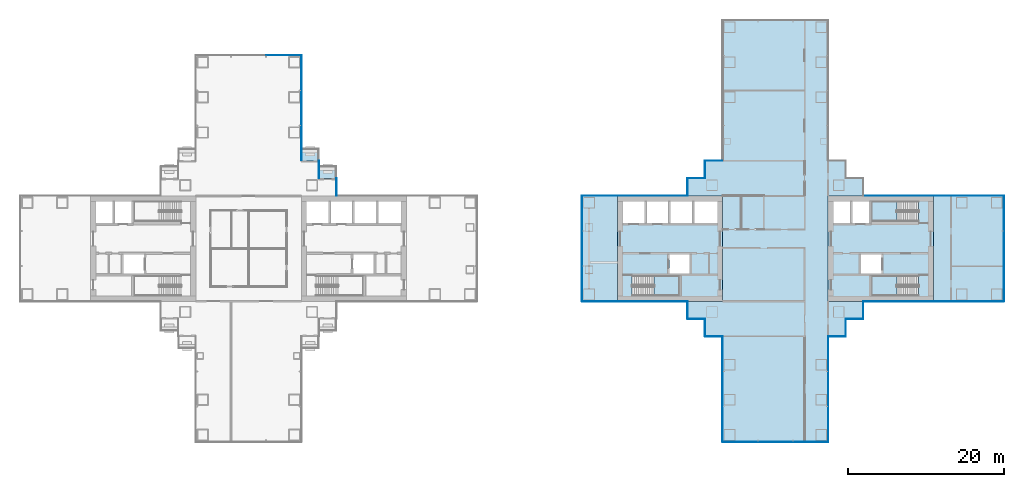
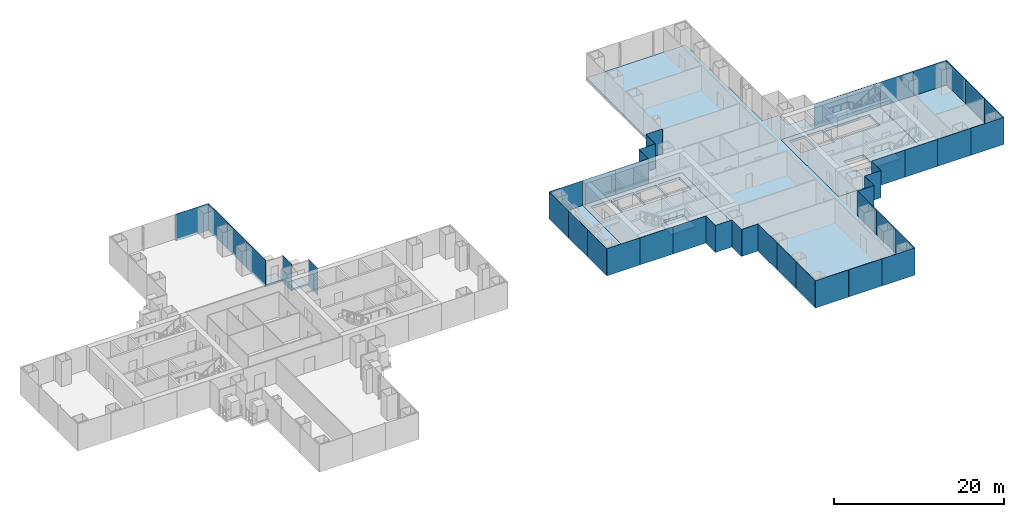
# One storey, part 12 of 21: 47 plates, 10 slabs, 22 elements without a shape of their own.
"""IFC4 building model written with IfcOpenShell, lengths in metres."""

from ifc_helpers import new_model, si_unit, direction, frame, origin, origin_2d, place, context, subcontext, project, spatial, polyline, rectangle, outline, extrude, material, layer, layer_set, type_object, element, aggregate, save


model = new_model("IFC4")

# Units and contexts
model_context = context("Model", 3, precision=1e-05, world=origin(), true_north=direction((0.0, 1.0)))
body_context = subcontext(model_context, "Body", "Model", "MODEL_VIEW")
ifc_project = project(units=[si_unit("LENGTHUNIT", "METRE"), si_unit("AREAUNIT", "SQUARE_METRE"), si_unit("VOLUMEUNIT", "CUBIC_METRE"), si_unit("PLANEANGLEUNIT", "RADIAN"), si_unit("MASSUNIT", "GRAM", prefix="KILO")], contexts=[model_context])

# Site, building, storey
site_placement = place(None, origin())
site = spatial("IfcSite", under=ifc_project, at=site_placement, CompositionType="ELEMENT")
building_placement = place(site_placement, origin())
building = spatial("IfcBuilding", under=site, at=building_placement, Name="Shamsa Quay Exchange Towers", CompositionType="ELEMENT")
storey_placement = place(building_placement, frame((0.0, 0.0, 61.5)))
storey = spatial("IfcBuildingStorey", under=building, at=storey_placement, Name="L13", CompositionType="ELEMENT", Elevation=61.5)

# Slabs
ifc_material_1 = material(Name="Precast concrete C40/50", Category="concrete")
ifc_layer_1 = layer(ifc_material_1, 0.25)
ifc_layer_set_1 = layer_set([ifc_layer_1], Name="BALCONY SLAB 250")
slab_type_1 = type_object("IfcSlabType", Name="BALCONY SLAB 250", PredefinedType="FLOOR", material=ifc_layer_set_1)
slab_1_placement = place(storey_placement, frame((0.0, 0.0, -0.25)))
element("IfcSlab", 1, at=slab_1_placement, inside=storey, type_object=slab_type_1, Name="Balcony T1-PKEN L13", PredefinedType="FLOOR", context=body_context, shape_type="SweptSolid", body=[
    extrude(outline(polyline([(-22.5, 9.0), (-24.7119140625, 9.0), (-24.7119140625, 10.550048828125), (-22.5, 10.550048828125), (-22.5, 9.0)])), origin(), (0.0, 0.0, 1.0), 0.25),
])
slab_2_placement = place(storey_placement, frame((0.0, 0.0, -0.25)))
element("IfcSlab", 2, at=slab_2_placement, inside=storey, type_object=slab_type_1, Name="Balcony T1-PKEN L13", PredefinedType="FLOOR", context=body_context, shape_type="SweptSolid", body=[
    extrude(outline(polyline([(-24.75, 11.25), (-26.9619140625, 11.25), (-26.9619140625, 12.800048828125), (-24.75, 12.800048828125), (-24.75, 11.25)])), origin(), (0.0, 0.0, 1.0), 0.25),
])
ifc_material_2 = material(Name="Concrete C50/60", Category="concrete")
ifc_layer_2 = layer(ifc_material_2, 0.35009765625)
ifc_layer_set_2 = layer_set([ifc_layer_2], Name="CORE FLOOR 350 C50/60")
slab_type_2 = type_object("IfcSlabType", Name="CORE FLOOR 350 C50/60", PredefinedType="FLOOR", material=ifc_layer_set_2)
slab_3_placement = place(storey_placement, frame((0.0, 0.0, -0.35009765625)))
element("IfcSlab", 3, at=slab_3_placement, inside=storey, type_object=slab_type_2, Name="Core floor T2A", PredefinedType="FLOOR", context=body_context, shape_type="SweptSolid", body=[
    extrude(outline(polyline([(13.5, -6.75), (27.0, -6.75), (27.0, 6.75), (13.5, 6.75), (13.5, -6.75)]), holes=[polyline([(15.400634765625, -6.050048828125), (15.400634765625, -3.5), (21.5, -3.5), (21.5, -6.050048828125), (15.400634765625, -6.050048828125)]), polyline([(14.199951171875, 3.25), (14.199951171875, 6.050048828125), (17.0, 6.050048828125), (17.0, 3.25), (14.199951171875, 3.25)]), polyline([(17.25, 3.25), (17.25, 6.050048828125), (20.050048828125, 6.050048828125), (20.050048828125, 3.25), (17.25, 3.25)]), polyline([(20.300048828125, 3.25), (20.300048828125, 6.050048828125), (23.10009765625, 6.050048828125), (23.10009765625, 3.25), (20.300048828125, 3.25)]), polyline([(23.35009765625, 3.25), (23.35009765625, 6.050048828125), (26.300048828125, 6.050048828125), (26.300048828125, 3.25), (23.35009765625, 3.25)]), polyline([(20.14990234375, -3.25), (20.14990234375, -0.75), (22.800048828125, -0.75), (22.800048828125, -3.25), (20.14990234375, -3.25)])]), origin(), (0.0, 0.0, 1.0), 0.35009765625),
])
slab_4_placement = place(storey_placement, frame((0.0, 0.0, -0.35009765625)))
element("IfcSlab", 4, at=slab_4_placement, inside=storey, type_object=slab_type_2, Name="Core floor T2B", PredefinedType="FLOOR", context=body_context, shape_type="SweptSolid", body=[
    extrude(outline(polyline([(54.0, -6.75), (54.0, 6.75), (40.5, 6.75), (40.5, -6.75), (54.0, -6.75)]), holes=[polyline([(52.099365234375, -3.5), (52.099365234375, -6.050048828125), (46.0, -6.050048828125), (46.0, -3.5), (52.099365234375, -3.5)]), polyline([(52.099365234375, 6.050048828125), (52.099365234375, 3.5), (46.0, 3.5), (46.0, 6.050048828125), (52.099365234375, 6.050048828125)]), polyline([(45.75, 3.25), (43.60009765625, 3.25), (43.60009765625, 6.050048828125), (45.75, 6.050048828125), (45.75, 3.25)]), polyline([(43.35009765625, 3.25), (41.199951171875, 3.25), (41.199951171875, 6.050048828125), (43.35009765625, 6.050048828125), (43.35009765625, 3.25)]), polyline([(47.35009765625, -3.25), (44.699951171875, -3.25), (44.699951171875, -0.75), (47.35009765625, -0.75), (47.35009765625, -3.25)])]), origin(), (0.0, 0.0, 1.0), 0.35009765625),
])

# Stair, slab
ifc_material_3 = material(Name="Concrete C40/50", Category="concrete")
stair_type = type_object("IfcStairType", Name="EXIT STAIR 22 RISERS 177 MM", PredefinedType="HALF_TURN_STAIR", material=ifc_material_3)
stair_1_placement = place(storey_placement, origin())
stair_1 = element("IfcStair", 5, at=stair_1_placement, inside=storey, type_object=stair_type, Name="L13 Exit stair ST4", PredefinedType="HALF_TURN_STAIR")
ifc_layer_3 = layer(ifc_material_3, 0.199951171875)
ifc_layer_set_3 = layer_set([ifc_layer_3], Name="CORE STAIR LANDING")
slab_type_3 = type_object("IfcSlabType", Name="CORE STAIR LANDING", PredefinedType="LANDING", material=ifc_layer_set_3)
slab_5_placement = place(storey_placement, frame((0.0, 0.0, 1.75)))
slab_5 = element("IfcSlab", 6, at=slab_5_placement, type_object=slab_type_3, Name="ST4 landing 1", PredefinedType="LANDING", context=body_context, shape_type="SweptSolid", body=[
    extrude(outline(polyline([(18.199951171875, -6.050048828125), (21.5, -6.050048828125), (21.5, -3.5), (18.199951171875, -3.5), (18.199951171875, -6.050048828125)])), origin(), (0.0, 0.0, 1.0), 0.199951171875),
])
aggregate(stair_1, [slab_5])

stair_2_placement = place(storey_placement, origin())
stair_2 = element("IfcStair", 7, at=stair_2_placement, inside=storey, type_object=stair_type, Name="L13 Exit stair ST5", PredefinedType="HALF_TURN_STAIR")
slab_6_placement = place(storey_placement, frame((0.0, 0.0, 1.75)))
slab_6 = element("IfcSlab", 8, at=slab_6_placement, type_object=slab_type_3, Name="ST5 landing 1", PredefinedType="LANDING", context=body_context, shape_type="SweptSolid", body=[
    extrude(outline(polyline([(49.300048828125, -3.5), (46.0, -3.5), (46.0, -6.050048828125), (49.300048828125, -6.050048828125), (49.300048828125, -3.5)])), origin(), (0.0, 0.0, 1.0), 0.199951171875),
])
aggregate(stair_2, [slab_6])

stair_3_placement = place(storey_placement, origin())
stair_3 = element("IfcStair", 9, at=stair_3_placement, inside=storey, type_object=stair_type, Name="L13 Exit stair ST6", PredefinedType="HALF_TURN_STAIR")
slab_7_placement = place(storey_placement, frame((0.0, 0.0, 1.75)))
slab_7 = element("IfcSlab", 10, at=slab_7_placement, type_object=slab_type_3, Name="ST6 landing 1", PredefinedType="LANDING", context=body_context, shape_type="SweptSolid", body=[
    extrude(outline(polyline([(49.300048828125, 6.050048828125), (46.0, 6.050048828125), (46.0, 3.5), (49.300048828125, 3.5), (49.300048828125, 6.050048828125)])), origin(), (0.0, 0.0, 1.0), 0.199951171875),
])
aggregate(stair_3, [slab_7])

# Curtain wall, plates
ifc_material_4 = material(Name="Aluminium EN AW-6063 T6, black anodised", Category="aluminium")
ifc_layer_4 = layer(ifc_material_4, 0.280029296875)
ifc_layer_set_4 = layer_set([ifc_layer_4], Name="CW-1 UNITISED VISION GLASS")
curtain_wall_type_1 = type_object("IfcCurtainWallType", Name="CW-1 UNITISED VISION GLASS", PredefinedType="NOTDEFINED", material=ifc_layer_set_4)
curtain_wall_1_placement = place(storey_placement, origin())
curtain_wall_1 = element("IfcCurtainWall", 11, at=curtain_wall_1_placement, inside=storey, type_object=curtain_wall_type_1, Name="CW1 T1-FLK-V+E L13", PredefinedType="NOTDEFINED")
ifc_material_5 = material(Name="Glass, laminated, dark tinted", Category="glass")
ifc_layer_5 = layer(ifc_material_5, 0.0400390625)
ifc_layer_set_5 = layer_set([ifc_layer_5], Name="CW-1 VISION GLASS 40")
plate_type_1 = type_object("IfcPlateType", Name="CW-1 VISION GLASS 40", PredefinedType="CURTAIN_PANEL", material=ifc_layer_set_5)
plate_1_placement = place(storey_placement, frame((-26.97998046875, 13.529052734375, -0.349853515625), z_axis=(0.0, 0.0, 1.0), x_axis=(0.0, 1.0, 0.0)))
plate_1 = element("IfcPlate", 12, at=plate_1_placement, type_object=plate_type_1, Name="CW1 glass panel", PredefinedType="CURTAIN_PANEL", context=body_context, shape_type="SweptSolid", body=[
    extrude(rectangle(XDim=4.482421875, YDim=0.0400390625, at=origin_2d()), origin(), (0.0, 0.0, 1.0), 3.89990234375),
])
plate_2_placement = place(storey_placement, frame((-26.97998046875, 18.01904296875, -0.349853515625), z_axis=(0.0, 0.0, 1.0), x_axis=(0.0, 1.0, 0.0)))
plate_2 = element("IfcPlate", 13, at=plate_2_placement, type_object=plate_type_1, Name="CW1 glass panel", PredefinedType="CURTAIN_PANEL", context=body_context, shape_type="SweptSolid", body=[
    extrude(rectangle(XDim=4.477294921875, YDim=0.0400390625, at=origin_2d()), origin(), (0.0, 0.0, 1.0), 3.89990234375),
])
plate_3_placement = place(storey_placement, frame((-26.97998046875, 22.5087890625, -0.349853515625), z_axis=(0.0, 0.0, 1.0), x_axis=(0.0, 1.0, 0.0)))
plate_3 = element("IfcPlate", 14, at=plate_3_placement, type_object=plate_type_1, Name="CW1 glass panel", PredefinedType="CURTAIN_PANEL", context=body_context, shape_type="SweptSolid", body=[
    extrude(rectangle(XDim=4.482421875, YDim=0.0400390625, at=origin_2d()), origin(), (0.0, 0.0, 1.0), 3.89990234375),
])
aggregate(curtain_wall_1, [plate_1, plate_2, plate_3])

# Curtain wall, plate
curtain_wall_2_placement = place(storey_placement, origin())
curtain_wall_2 = element("IfcCurtainWall", 15, at=curtain_wall_2_placement, inside=storey, type_object=curtain_wall_type_1, Name="CW1 T1-END-V+ L13", PredefinedType="NOTDEFINED")
plate_4_placement = place(storey_placement, frame((-29.24755859375, 24.77001953125, -0.349853515625), z_axis=(0.0, 0.0, 1.0), x_axis=(-1.0, 0.0, 0.0)))
plate_4 = element("IfcPlate", 16, at=plate_4_placement, type_object=plate_type_1, Name="CW1 glass panel", PredefinedType="CURTAIN_PANEL", context=body_context, shape_type="SweptSolid", body=[
    extrude(rectangle(XDim=4.4951171875, YDim=0.0400390625, at=origin_2d()), origin(), (0.0, 0.0, 1.0), 3.89990234375),
])
aggregate(curtain_wall_2, [plate_4])

# Curtain wall, plates
curtain_wall_3_placement = place(storey_placement, origin())
curtain_wall_3 = element("IfcCurtainWall", 17, at=curtain_wall_3_placement, inside=storey, type_object=curtain_wall_type_1, Name="CW1 T2-FLK-V-W L13", PredefinedType="NOTDEFINED")
plate_5_placement = place(storey_placement, frame((56.24755859375, -6.77001953125, -0.349853515625)))
plate_5 = element("IfcPlate", 18, at=plate_5_placement, type_object=plate_type_1, Name="CW1 glass panel", PredefinedType="CURTAIN_PANEL", context=body_context, shape_type="SweptSolid", body=[
    extrude(rectangle(XDim=4.4951171875, YDim=0.0400390625, at=origin_2d()), origin(), (0.0, 0.0, 1.0), 3.89990234375),
])
plate_6_placement = place(storey_placement, frame((60.75244140625, -6.77001953125, -0.349853515625)))
plate_6 = element("IfcPlate", 19, at=plate_6_placement, type_object=plate_type_1, Name="CW1 glass panel", PredefinedType="CURTAIN_PANEL", context=body_context, shape_type="SweptSolid", body=[
    extrude(rectangle(XDim=4.4951171875, YDim=0.0400390625, at=origin_2d()), origin(), (0.0, 0.0, 1.0), 3.89990234375),
])
aggregate(curtain_wall_3, [plate_5, plate_6])

curtain_wall_4_placement = place(storey_placement, origin())
curtain_wall_4 = element("IfcCurtainWall", 20, at=curtain_wall_4_placement, inside=storey, type_object=curtain_wall_type_1, Name="CW1 T2-END-V- L13", PredefinedType="NOTDEFINED")
plate_7_placement = place(storey_placement, frame((63.02001953125, -4.50244140625, -0.349853515625), z_axis=(0.0, 0.0, 1.0), x_axis=(0.0, 1.0, 0.0)))
plate_7 = element("IfcPlate", 21, at=plate_7_placement, type_object=plate_type_1, Name="CW1 glass panel", PredefinedType="CURTAIN_PANEL", context=body_context, shape_type="SweptSolid", body=[
    extrude(rectangle(XDim=4.4951171875, YDim=0.0400390625, at=origin_2d()), origin(), (0.0, 0.0, 1.0), 3.89990234375),
])
plate_8_placement = place(storey_placement, frame((63.02001953125, 0.0, -0.349853515625), z_axis=(0.0, 0.0, 1.0), x_axis=(0.0, 1.0, 0.0)))
plate_8 = element("IfcPlate", 22, at=plate_8_placement, type_object=plate_type_1, Name="CW1 glass panel", PredefinedType="CURTAIN_PANEL", context=body_context, shape_type="SweptSolid", body=[
    extrude(rectangle(XDim=4.489990234375, YDim=0.0400390625, at=origin_2d()), origin(), (0.0, 0.0, 1.0), 3.89990234375),
])
plate_9_placement = place(storey_placement, frame((63.02001953125, 4.50244140625, -0.349853515625), z_axis=(0.0, 0.0, 1.0), x_axis=(0.0, 1.0, 0.0)))
plate_9 = element("IfcPlate", 23, at=plate_9_placement, type_object=plate_type_1, Name="CW1 glass panel", PredefinedType="CURTAIN_PANEL", context=body_context, shape_type="SweptSolid", body=[
    extrude(rectangle(XDim=4.4951171875, YDim=0.0400390625, at=origin_2d()), origin(), (0.0, 0.0, 1.0), 3.89990234375),
])
aggregate(curtain_wall_4, [plate_7, plate_8, plate_9])

curtain_wall_5_placement = place(storey_placement, origin())
curtain_wall_5 = element("IfcCurtainWall", 24, at=curtain_wall_5_placement, inside=storey, type_object=curtain_wall_type_1, Name="CW1 T2-FLK-V-E L13", PredefinedType="NOTDEFINED")
plate_10_placement = place(storey_placement, frame((60.75244140625, 6.77001953125, -0.349853515625), z_axis=(0.0, 0.0, 1.0), x_axis=(-1.0, 0.0, 0.0)))
plate_10 = element("IfcPlate", 25, at=plate_10_placement, type_object=plate_type_1, Name="CW1 glass panel", PredefinedType="CURTAIN_PANEL", context=body_context, shape_type="SweptSolid", body=[
    extrude(rectangle(XDim=4.4951171875, YDim=0.0400390625, at=origin_2d()), origin(), (0.0, 0.0, 1.0), 3.89990234375),
])
plate_11_placement = place(storey_placement, frame((56.24755859375, 6.77001953125, -0.349853515625), z_axis=(0.0, 0.0, 1.0), x_axis=(-1.0, 0.0, 0.0)))
plate_11 = element("IfcPlate", 26, at=plate_11_placement, type_object=plate_type_1, Name="CW1 glass panel", PredefinedType="CURTAIN_PANEL", context=body_context, shape_type="SweptSolid", body=[
    extrude(rectangle(XDim=4.4951171875, YDim=0.0400390625, at=origin_2d()), origin(), (0.0, 0.0, 1.0), 3.89990234375),
])
aggregate(curtain_wall_5, [plate_10, plate_11])

# Curtain wall, plate
curtain_wall_6_placement = place(storey_placement, origin())
curtain_wall_6 = element("IfcCurtainWall", 27, at=curtain_wall_6_placement, inside=storey, type_object=curtain_wall_type_1, Name="CW1 T2-FLK-V+E L13", PredefinedType="NOTDEFINED")
plate_12_placement = place(storey_placement, frame((11.25, 6.77001953125, -0.349853515625), z_axis=(0.0, 0.0, 1.0), x_axis=(-1.0, 0.0, 0.0)))
plate_12 = element("IfcPlate", 28, at=plate_12_placement, type_object=plate_type_1, Name="CW1 glass panel", PredefinedType="CURTAIN_PANEL", context=body_context, shape_type="SweptSolid", body=[
    extrude(rectangle(XDim=4.5, YDim=0.0400390625, at=origin_2d()), origin(), (0.0, 0.0, 1.0), 3.89990234375),
])
aggregate(curtain_wall_6, [plate_12])

# Curtain wall, plates
curtain_wall_7_placement = place(storey_placement, origin())
curtain_wall_7 = element("IfcCurtainWall", 29, at=curtain_wall_7_placement, inside=storey, type_object=curtain_wall_type_1, Name="CW1 T2-END-V+ L13", PredefinedType="NOTDEFINED")
plate_13_placement = place(storey_placement, frame((8.97998046875, 4.50244140625, -0.349853515625), z_axis=(0.0, 0.0, 1.0), x_axis=(0.0, -1.0, 0.0)))
plate_13 = element("IfcPlate", 30, at=plate_13_placement, type_object=plate_type_1, Name="CW1 glass panel", PredefinedType="CURTAIN_PANEL", context=body_context, shape_type="SweptSolid", body=[
    extrude(rectangle(XDim=4.4951171875, YDim=0.0400390625, at=origin_2d()), origin(), (0.0, 0.0, 1.0), 3.89990234375),
])
plate_14_placement = place(storey_placement, frame((8.97998046875, 0.0, -0.349853515625), z_axis=(0.0, 0.0, 1.0), x_axis=(0.0, -1.0, 0.0)))
plate_14 = element("IfcPlate", 31, at=plate_14_placement, type_object=plate_type_1, Name="CW1 glass panel", PredefinedType="CURTAIN_PANEL", context=body_context, shape_type="SweptSolid", body=[
    extrude(rectangle(XDim=4.489990234375, YDim=0.0400390625, at=origin_2d()), origin(), (0.0, 0.0, 1.0), 3.89990234375),
])
plate_15_placement = place(storey_placement, frame((8.97998046875, -4.50244140625, -0.349853515625), z_axis=(0.0, 0.0, 1.0), x_axis=(0.0, -1.0, 0.0)))
plate_15 = element("IfcPlate", 32, at=plate_15_placement, type_object=plate_type_1, Name="CW1 glass panel", PredefinedType="CURTAIN_PANEL", context=body_context, shape_type="SweptSolid", body=[
    extrude(rectangle(XDim=4.4951171875, YDim=0.0400390625, at=origin_2d()), origin(), (0.0, 0.0, 1.0), 3.89990234375),
])
aggregate(curtain_wall_7, [plate_13, plate_14, plate_15])

# Curtain wall, plate
curtain_wall_8_placement = place(storey_placement, origin())
curtain_wall_8 = element("IfcCurtainWall", 33, at=curtain_wall_8_placement, inside=storey, type_object=curtain_wall_type_1, Name="CW1 T2-FLK-V+W L13", PredefinedType="NOTDEFINED")
plate_16_placement = place(storey_placement, frame((11.25, -6.77001953125, -0.349853515625)))
plate_16 = element("IfcPlate", 34, at=plate_16_placement, type_object=plate_type_1, Name="CW1 glass panel", PredefinedType="CURTAIN_PANEL", context=body_context, shape_type="SweptSolid", body=[
    extrude(rectangle(XDim=4.5, YDim=0.0400390625, at=origin_2d()), origin(), (0.0, 0.0, 1.0), 3.89990234375),
])
aggregate(curtain_wall_8, [plate_16])

# Curtain wall, plates
curtain_wall_9_placement = place(storey_placement, origin())
curtain_wall_9 = element("IfcCurtainWall", 35, at=curtain_wall_9_placement, inside=storey, type_object=curtain_wall_type_1, Name="CW1 T2-FLK-U-N L13", PredefinedType="NOTDEFINED")
plate_17_placement = place(storey_placement, frame((26.97998046875, -13.529052734375, -0.349853515625), z_axis=(0.0, 0.0, 1.0), x_axis=(0.0, -1.0, 0.0)))
plate_17 = element("IfcPlate", 36, at=plate_17_placement, type_object=plate_type_1, Name="CW1 glass panel", PredefinedType="CURTAIN_PANEL", context=body_context, shape_type="SweptSolid", body=[
    extrude(rectangle(XDim=4.482421875, YDim=0.0400390625, at=origin_2d()), origin(), (0.0, 0.0, 1.0), 3.89990234375),
])
plate_18_placement = place(storey_placement, frame((26.97998046875, -18.01904296875, -0.349853515625), z_axis=(0.0, 0.0, 1.0), x_axis=(0.0, -1.0, 0.0)))
plate_18 = element("IfcPlate", 37, at=plate_18_placement, type_object=plate_type_1, Name="CW1 glass panel", PredefinedType="CURTAIN_PANEL", context=body_context, shape_type="SweptSolid", body=[
    extrude(rectangle(XDim=4.477294921875, YDim=0.0400390625, at=origin_2d()), origin(), (0.0, 0.0, 1.0), 3.89990234375),
])
plate_19_placement = place(storey_placement, frame((26.97998046875, -22.5087890625, -0.349853515625), z_axis=(0.0, 0.0, 1.0), x_axis=(0.0, -1.0, 0.0)))
plate_19 = element("IfcPlate", 38, at=plate_19_placement, type_object=plate_type_1, Name="CW1 glass panel", PredefinedType="CURTAIN_PANEL", context=body_context, shape_type="SweptSolid", body=[
    extrude(rectangle(XDim=4.482421875, YDim=0.0400390625, at=origin_2d()), origin(), (0.0, 0.0, 1.0), 3.89990234375),
])
aggregate(curtain_wall_9, [plate_17, plate_18, plate_19])

curtain_wall_10_placement = place(storey_placement, origin())
curtain_wall_10 = element("IfcCurtainWall", 39, at=curtain_wall_10_placement, inside=storey, type_object=curtain_wall_type_1, Name="CW1 T2-END-U- L13", PredefinedType="NOTDEFINED")
plate_20_placement = place(storey_placement, frame((29.24755859375, -24.77001953125, -0.349853515625)))
plate_20 = element("IfcPlate", 40, at=plate_20_placement, type_object=plate_type_1, Name="CW1 glass panel", PredefinedType="CURTAIN_PANEL", context=body_context, shape_type="SweptSolid", body=[
    extrude(rectangle(XDim=4.4951171875, YDim=0.0400390625, at=origin_2d()), origin(), (0.0, 0.0, 1.0), 3.89990234375),
])
plate_21_placement = place(storey_placement, frame((33.75, -24.77001953125, -0.349853515625)))
plate_21 = element("IfcPlate", 41, at=plate_21_placement, type_object=plate_type_1, Name="CW1 glass panel", PredefinedType="CURTAIN_PANEL", context=body_context, shape_type="SweptSolid", body=[
    extrude(rectangle(XDim=4.489990234375, YDim=0.0400390625, at=origin_2d()), origin(), (0.0, 0.0, 1.0), 3.89990234375),
])
plate_22_placement = place(storey_placement, frame((38.25244140625, -24.77001953125, -0.349853515625)))
plate_22 = element("IfcPlate", 42, at=plate_22_placement, type_object=plate_type_1, Name="CW1 glass panel", PredefinedType="CURTAIN_PANEL", context=body_context, shape_type="SweptSolid", body=[
    extrude(rectangle(XDim=4.4951171875, YDim=0.0400390625, at=origin_2d()), origin(), (0.0, 0.0, 1.0), 3.89990234375),
])
aggregate(curtain_wall_10, [plate_20, plate_21, plate_22])

curtain_wall_11_placement = place(storey_placement, origin())
curtain_wall_11 = element("IfcCurtainWall", 43, at=curtain_wall_11_placement, inside=storey, type_object=curtain_wall_type_1, Name="CW1 T2-FLK-U-S L13", PredefinedType="NOTDEFINED")
plate_23_placement = place(storey_placement, frame((40.52001953125, -22.50244140625, -0.349853515625), z_axis=(0.0, 0.0, 1.0), x_axis=(0.0, 1.0, 0.0)))
plate_23 = element("IfcPlate", 44, at=plate_23_placement, type_object=plate_type_1, Name="CW1 glass panel", PredefinedType="CURTAIN_PANEL", context=body_context, shape_type="SweptSolid", body=[
    extrude(rectangle(XDim=4.4951171875, YDim=0.0400390625, at=origin_2d()), origin(), (0.0, 0.0, 1.0), 3.89990234375),
])
plate_24_placement = place(storey_placement, frame((40.52001953125, -18.0, -0.349853515625), z_axis=(0.0, 0.0, 1.0), x_axis=(0.0, 1.0, 0.0)))
plate_24 = element("IfcPlate", 45, at=plate_24_placement, type_object=plate_type_1, Name="CW1 glass panel", PredefinedType="CURTAIN_PANEL", context=body_context, shape_type="SweptSolid", body=[
    extrude(rectangle(XDim=4.489990234375, YDim=0.0400390625, at=origin_2d()), origin(), (0.0, 0.0, 1.0), 3.89990234375),
])
plate_25_placement = place(storey_placement, frame((40.52001953125, -13.49755859375, -0.349853515625), z_axis=(0.0, 0.0, 1.0), x_axis=(0.0, 1.0, 0.0)))
plate_25 = element("IfcPlate", 46, at=plate_25_placement, type_object=plate_type_1, Name="CW1 glass panel", PredefinedType="CURTAIN_PANEL", context=body_context, shape_type="SweptSolid", body=[
    extrude(rectangle(XDim=4.4951171875, YDim=0.0400390625, at=origin_2d()), origin(), (0.0, 0.0, 1.0), 3.89990234375),
])
aggregate(curtain_wall_11, [plate_23, plate_24, plate_25])

ifc_layer_6 = layer(ifc_material_4, 0.303955078125)
ifc_layer_set_6 = layer_set([ifc_layer_6], Name="CW-2 UNITISED OPAQUE SPANDREL GLASS")
curtain_wall_type_2 = type_object("IfcCurtainWallType", Name="CW-2 UNITISED OPAQUE SPANDREL GLASS", PredefinedType="NOTDEFINED", material=ifc_layer_set_6)
curtain_wall_12_placement = place(storey_placement, origin())
curtain_wall_12 = element("IfcCurtainWall", 47, at=curtain_wall_12_placement, inside=storey, type_object=curtain_wall_type_2, Name="CW2 T2-FLK-V-W L13", PredefinedType="NOTDEFINED")
ifc_material_6 = material(Name="Glass, laminated, black enamelled opaque", Category="glass")
ifc_layer_7 = layer(ifc_material_6, 0.0439453125)
ifc_layer_set_7 = layer_set([ifc_layer_7], Name="CW-2 SPANDREL GLASS 44")
plate_type_2 = type_object("IfcPlateType", Name="CW-2 SPANDREL GLASS 44", PredefinedType="CURTAIN_PANEL", material=ifc_layer_set_7)
plate_26_placement = place(storey_placement, frame((47.27587890625, -6.77197265625, -0.349853515625)))
plate_26 = element("IfcPlate", 48, at=plate_26_placement, type_object=plate_type_2, Name="CW2 glass panel", PredefinedType="CURTAIN_PANEL", context=body_context, shape_type="SweptSolid", body=[
    extrude(rectangle(XDim=4.47607421875, YDim=0.0439453125, at=origin_2d()), origin(), (0.0, 0.0, 1.0), 3.89990234375),
])
plate_27_placement = place(storey_placement, frame((51.761962890625, -6.77197265625, -0.349853515625)))
plate_27 = element("IfcPlate", 49, at=plate_27_placement, type_object=plate_type_2, Name="CW2 glass panel", PredefinedType="CURTAIN_PANEL", context=body_context, shape_type="SweptSolid", body=[
    extrude(rectangle(XDim=4.47607421875, YDim=0.0439453125, at=origin_2d()), origin(), (0.0, 0.0, 1.0), 3.89990234375),
])
aggregate(curtain_wall_12, [plate_26, plate_27])

curtain_wall_13_placement = place(storey_placement, origin())
curtain_wall_13 = element("IfcCurtainWall", 50, at=curtain_wall_13_placement, inside=storey, type_object=curtain_wall_type_2, Name="CW2 T2-FLK-V-E L13", PredefinedType="NOTDEFINED")
plate_28_placement = place(storey_placement, frame((51.75244140625, 6.77197265625, -0.349853515625), z_axis=(0.0, 0.0, 1.0), x_axis=(-1.0, 0.0, 0.0)))
plate_28 = element("IfcPlate", 51, at=plate_28_placement, type_object=plate_type_2, Name="CW2 glass panel", PredefinedType="CURTAIN_PANEL", context=body_context, shape_type="SweptSolid", body=[
    extrude(rectangle(XDim=4.4951171875, YDim=0.0439453125, at=origin_2d()), origin(), (0.0, 0.0, 1.0), 3.89990234375),
])
plate_29_placement = place(storey_placement, frame((47.24755859375, 6.77197265625, -0.349853515625), z_axis=(0.0, 0.0, 1.0), x_axis=(-1.0, 0.0, 0.0)))
plate_29 = element("IfcPlate", 52, at=plate_29_placement, type_object=plate_type_2, Name="CW2 glass panel", PredefinedType="CURTAIN_PANEL", context=body_context, shape_type="SweptSolid", body=[
    extrude(rectangle(XDim=4.4951171875, YDim=0.0439453125, at=origin_2d()), origin(), (0.0, 0.0, 1.0), 3.89990234375),
])
aggregate(curtain_wall_13, [plate_28, plate_29])

curtain_wall_14_placement = place(storey_placement, origin())
curtain_wall_14 = element("IfcCurtainWall", 53, at=curtain_wall_14_placement, inside=storey, type_object=curtain_wall_type_2, Name="CW2 T2-FLK-V+E L13", PredefinedType="NOTDEFINED")
plate_30_placement = place(storey_placement, frame((20.22412109375, 6.77197265625, -0.349853515625), z_axis=(0.0, 0.0, 1.0), x_axis=(-1.0, 0.0, 0.0)))
plate_30 = element("IfcPlate", 54, at=plate_30_placement, type_object=plate_type_2, Name="CW2 glass panel", PredefinedType="CURTAIN_PANEL", context=body_context, shape_type="SweptSolid", body=[
    extrude(rectangle(XDim=4.47607421875, YDim=0.0439453125, at=origin_2d()), origin(), (0.0, 0.0, 1.0), 3.89990234375),
])
plate_31_placement = place(storey_placement, frame((15.738037109375, 6.77197265625, -0.349853515625), z_axis=(0.0, 0.0, 1.0), x_axis=(-1.0, 0.0, 0.0)))
plate_31 = element("IfcPlate", 55, at=plate_31_placement, type_object=plate_type_2, Name="CW2 glass panel", PredefinedType="CURTAIN_PANEL", context=body_context, shape_type="SweptSolid", body=[
    extrude(rectangle(XDim=4.47607421875, YDim=0.0439453125, at=origin_2d()), origin(), (0.0, 0.0, 1.0), 3.89990234375),
])
aggregate(curtain_wall_14, [plate_30, plate_31])

curtain_wall_15_placement = place(storey_placement, origin())
curtain_wall_15 = element("IfcCurtainWall", 56, at=curtain_wall_15_placement, inside=storey, type_object=curtain_wall_type_2, Name="CW2 T2-FLK-V+W L13", PredefinedType="NOTDEFINED")
plate_32_placement = place(storey_placement, frame((15.74755859375, -6.77197265625, -0.349853515625)))
plate_32 = element("IfcPlate", 57, at=plate_32_placement, type_object=plate_type_2, Name="CW2 glass panel", PredefinedType="CURTAIN_PANEL", context=body_context, shape_type="SweptSolid", body=[
    extrude(rectangle(XDim=4.4951171875, YDim=0.0439453125, at=origin_2d()), origin(), (0.0, 0.0, 1.0), 3.89990234375),
])
plate_33_placement = place(storey_placement, frame((20.25244140625, -6.77197265625, -0.349853515625)))
plate_33 = element("IfcPlate", 58, at=plate_33_placement, type_object=plate_type_2, Name="CW2 glass panel", PredefinedType="CURTAIN_PANEL", context=body_context, shape_type="SweptSolid", body=[
    extrude(rectangle(XDim=4.4951171875, YDim=0.0439453125, at=origin_2d()), origin(), (0.0, 0.0, 1.0), 3.89990234375),
])
aggregate(curtain_wall_15, [plate_32, plate_33])

ifc_layer_8 = layer(ifc_material_4, 0.256103515625)
ifc_layer_set_8 = layer_set([ifc_layer_8], Name="CW-4 POCKET SERRATED GLAZING")
curtain_wall_type_3 = type_object("IfcCurtainWallType", Name="CW-4 POCKET SERRATED GLAZING", PredefinedType="NOTDEFINED", material=ifc_layer_set_8)
curtain_wall_16_placement = place(storey_placement, origin())
curtain_wall_16 = element("IfcCurtainWall", 59, at=curtain_wall_16_placement, inside=storey, type_object=curtain_wall_type_3, Name="CW4 PKEN L13", PredefinedType="NOTDEFINED")
ifc_layer_9 = layer(ifc_material_5, 0.035888671875)
ifc_layer_set_9 = layer_set([ifc_layer_9], Name="CW-4 POCKET GLASS 36")
plate_type_3 = type_object("IfcPlateType", Name="CW-4 POCKET GLASS 36", PredefinedType="CURTAIN_PANEL", material=ifc_layer_set_9)
plate_34_placement = place(storey_placement, frame((-22.48193359375, 7.89794921875, -0.349853515625), z_axis=(0.0, 0.0, 1.0), x_axis=(0.0, 1.0, 0.0)))
plate_34 = element("IfcPlate", 60, at=plate_34_placement, type_object=plate_type_3, Name="CW4 glass panel", PredefinedType="CURTAIN_PANEL", context=body_context, shape_type="SweptSolid", body=[
    extrude(rectangle(XDim=2.2041015625, YDim=0.035888671875, at=origin_2d()), origin(), (0.0, 0.0, 1.0), 3.89990234375),
])
plate_35_placement = place(storey_placement, frame((-24.73193359375, 10.14404296875, -0.349853515625), z_axis=(0.0, 0.0, 1.0), x_axis=(0.0, 1.0, 0.0)))
plate_35 = element("IfcPlate", 61, at=plate_35_placement, type_object=plate_type_3, Name="CW4 glass panel", PredefinedType="CURTAIN_PANEL", context=body_context, shape_type="SweptSolid", body=[
    extrude(rectangle(XDim=2.2119140625, YDim=0.035888671875, at=origin_2d()), origin(), (0.0, 0.0, 1.0), 3.89990234375),
])
aggregate(curtain_wall_16, [plate_34, plate_35])

curtain_wall_17_placement = place(storey_placement, origin())
curtain_wall_17 = element("IfcCurtainWall", 62, at=curtain_wall_17_placement, inside=storey, type_object=curtain_wall_type_3, Name="CW4 PKWS L13", PredefinedType="NOTDEFINED")
plate_36_placement = place(storey_placement, frame((43.89404296875, -9.01806640625, -0.349853515625)))
plate_36 = element("IfcPlate", 63, at=plate_36_placement, type_object=plate_type_3, Name="CW4 glass panel", PredefinedType="CURTAIN_PANEL", context=body_context, shape_type="SweptSolid", body=[
    extrude(rectangle(XDim=2.2119140625, YDim=0.035888671875, at=origin_2d()), origin(), (0.0, 0.0, 1.0), 3.89990234375),
])
plate_37_placement = place(storey_placement, frame((45.01806640625, -7.875, -0.349853515625), z_axis=(0.0, 0.0, 1.0), x_axis=(0.0, 1.0, 0.0)))
plate_37 = element("IfcPlate", 64, at=plate_37_placement, type_object=plate_type_3, Name="CW4 glass panel", PredefinedType="CURTAIN_PANEL", context=body_context, shape_type="SweptSolid", body=[
    extrude(rectangle(XDim=2.25, YDim=0.035888671875, at=origin_2d()), origin(), (0.0, 0.0, 1.0), 3.89990234375),
])
plate_38_placement = place(storey_placement, frame((41.64599609375, -11.26806640625, -0.349853515625)))
plate_38 = element("IfcPlate", 65, at=plate_38_placement, type_object=plate_type_3, Name="CW4 glass panel", PredefinedType="CURTAIN_PANEL", context=body_context, shape_type="SweptSolid", body=[
    extrude(rectangle(XDim=2.2080078125, YDim=0.035888671875, at=origin_2d()), origin(), (0.0, 0.0, 1.0), 3.89990234375),
])
plate_39_placement = place(storey_placement, frame((42.76806640625, -10.125, -0.349853515625), z_axis=(0.0, 0.0, 1.0), x_axis=(0.0, 1.0, 0.0)))
plate_39 = element("IfcPlate", 66, at=plate_39_placement, type_object=plate_type_3, Name="CW4 glass panel", PredefinedType="CURTAIN_PANEL", context=body_context, shape_type="SweptSolid", body=[
    extrude(rectangle(XDim=2.25, YDim=0.035888671875, at=origin_2d()), origin(), (0.0, 0.0, 1.0), 3.89990234375),
])
aggregate(curtain_wall_17, [plate_36, plate_37, plate_38, plate_39])

curtain_wall_18_placement = place(storey_placement, origin())
curtain_wall_18 = element("IfcCurtainWall", 67, at=curtain_wall_18_placement, inside=storey, type_object=curtain_wall_type_3, Name="CW4 PKEN L13", PredefinedType="NOTDEFINED")
plate_40_placement = place(storey_placement, frame((25.85400390625, 11.26806640625, -0.349853515625), z_axis=(0.0, 0.0, 1.0), x_axis=(-1.0, 0.0, 0.0)))
plate_40 = element("IfcPlate", 68, at=plate_40_placement, type_object=plate_type_3, Name="CW4 glass panel", PredefinedType="CURTAIN_PANEL", context=body_context, shape_type="SweptSolid", body=[
    extrude(rectangle(XDim=2.2080078125, YDim=0.035888671875, at=origin_2d()), origin(), (0.0, 0.0, 1.0), 3.89990234375),
])
plate_41_placement = place(storey_placement, frame((24.73193359375, 10.125, -0.349853515625), z_axis=(0.0, 0.0, 1.0), x_axis=(0.0, -1.0, 0.0)))
plate_41 = element("IfcPlate", 69, at=plate_41_placement, type_object=plate_type_3, Name="CW4 glass panel", PredefinedType="CURTAIN_PANEL", context=body_context, shape_type="SweptSolid", body=[
    extrude(rectangle(XDim=2.25, YDim=0.035888671875, at=origin_2d()), origin(), (0.0, 0.0, 1.0), 3.89990234375),
])
plate_42_placement = place(storey_placement, frame((23.60595703125, 9.01806640625, -0.349853515625), z_axis=(0.0, 0.0, 1.0), x_axis=(-1.0, 0.0, 0.0)))
plate_42 = element("IfcPlate", 70, at=plate_42_placement, type_object=plate_type_3, Name="CW4 glass panel", PredefinedType="CURTAIN_PANEL", context=body_context, shape_type="SweptSolid", body=[
    extrude(rectangle(XDim=2.2119140625, YDim=0.035888671875, at=origin_2d()), origin(), (0.0, 0.0, 1.0), 3.89990234375),
])
plate_43_placement = place(storey_placement, frame((22.48193359375, 7.875, -0.349853515625), z_axis=(0.0, 0.0, 1.0), x_axis=(0.0, -1.0, 0.0)))
plate_43 = element("IfcPlate", 71, at=plate_43_placement, type_object=plate_type_3, Name="CW4 glass panel", PredefinedType="CURTAIN_PANEL", context=body_context, shape_type="SweptSolid", body=[
    extrude(rectangle(XDim=2.25, YDim=0.035888671875, at=origin_2d()), origin(), (0.0, 0.0, 1.0), 3.89990234375),
])
aggregate(curtain_wall_18, [plate_40, plate_41, plate_42, plate_43])

curtain_wall_19_placement = place(storey_placement, origin())
curtain_wall_19 = element("IfcCurtainWall", 72, at=curtain_wall_19_placement, inside=storey, type_object=curtain_wall_type_3, Name="CW4 PKWN L13", PredefinedType="NOTDEFINED")
plate_44_placement = place(storey_placement, frame((22.48193359375, -7.89794921875, -0.349853515625), z_axis=(0.0, 0.0, 1.0), x_axis=(0.0, -1.0, 0.0)))
plate_44 = element("IfcPlate", 73, at=plate_44_placement, type_object=plate_type_3, Name="CW4 glass panel", PredefinedType="CURTAIN_PANEL", context=body_context, shape_type="SweptSolid", body=[
    extrude(rectangle(XDim=2.2041015625, YDim=0.035888671875, at=origin_2d()), origin(), (0.0, 0.0, 1.0), 3.89990234375),
])
plate_45_placement = place(storey_placement, frame((23.625, -9.01806640625, -0.349853515625)))
plate_45 = element("IfcPlate", 74, at=plate_45_placement, type_object=plate_type_3, Name="CW4 glass panel", PredefinedType="CURTAIN_PANEL", context=body_context, shape_type="SweptSolid", body=[
    extrude(rectangle(XDim=2.25, YDim=0.035888671875, at=origin_2d()), origin(), (0.0, 0.0, 1.0), 3.89990234375),
])
plate_46_placement = place(storey_placement, frame((24.73193359375, -10.14404296875, -0.349853515625), z_axis=(0.0, 0.0, 1.0), x_axis=(0.0, -1.0, 0.0)))
plate_46 = element("IfcPlate", 75, at=plate_46_placement, type_object=plate_type_3, Name="CW4 glass panel", PredefinedType="CURTAIN_PANEL", context=body_context, shape_type="SweptSolid", body=[
    extrude(rectangle(XDim=2.2119140625, YDim=0.035888671875, at=origin_2d()), origin(), (0.0, 0.0, 1.0), 3.89990234375),
])
plate_47_placement = place(storey_placement, frame((25.875, -11.26806640625, -0.349853515625)))
plate_47 = element("IfcPlate", 76, at=plate_47_placement, type_object=plate_type_3, Name="CW4 glass panel", PredefinedType="CURTAIN_PANEL", context=body_context, shape_type="SweptSolid", body=[
    extrude(rectangle(XDim=2.25, YDim=0.035888671875, at=origin_2d()), origin(), (0.0, 0.0, 1.0), 3.89990234375),
])
aggregate(curtain_wall_19, [plate_44, plate_45, plate_46, plate_47])

# Slabs
ifc_layer_10 = layer(ifc_material_3, 0.35009765625)
ifc_layer_set_10 = layer_set([ifc_layer_10], Name="Flat slab 350")
slab_type_4 = type_object("IfcSlabType", Name="Flat slab 350", PredefinedType="FLOOR", material=ifc_layer_set_10)
slab_8_placement = place(storey_placement, frame((0.0, 0.0, -0.35009765625)))
element("IfcSlab", 77, at=slab_8_placement, inside=storey, type_object=slab_type_4, Name="Flat slab T2 L13 4", PredefinedType="FLOOR", context=body_context, shape_type="SweptSolid", body=[
    extrude(outline(polyline([(9.0, -6.75), (13.5, -6.75), (13.5, 6.75), (9.0, 6.75), (9.0, -6.75)])), origin(), (0.0, 0.0, 1.0), 0.35009765625),
])
slab_9_placement = place(storey_placement, frame((0.0, 0.0, -0.35009765625)))
element("IfcSlab", 78, at=slab_9_placement, inside=storey, type_object=slab_type_4, Name="Flat slab T2 L13 5", PredefinedType="FLOOR", context=body_context, shape_type="SweptSolid", body=[
    extrude(outline(polyline([(45.0, -9.0), (45.0, -6.75), (40.5, -6.75), (40.5, 6.75), (45.0, 6.75), (45.0, 9.0), (42.75, 9.0), (42.75, 11.25), (40.5, 11.25), (40.5, 29.25), (27.0, 29.25), (27.0, 11.25), (24.75, 11.25), (24.75, 9.0), (22.5, 9.0), (22.5, 6.75), (27.0, 6.75), (27.0, -6.75), (22.5, -6.75), (22.5, -9.0), (24.75, -9.0), (24.75, -11.25), (27.0, -11.25), (27.0, -24.75), (40.5, -24.75), (40.5, -11.25), (42.75, -11.25), (42.75, -9.0), (45.0, -9.0)])), origin(), (0.0, 0.0, 1.0), 0.35009765625),
])
slab_10_placement = place(storey_placement, frame((0.0, 0.0, -0.35009765625)))
element("IfcSlab", 79, at=slab_10_placement, inside=storey, type_object=slab_type_4, Name="Flat slab T2 L13 6", PredefinedType="FLOOR", context=body_context, shape_type="SweptSolid", body=[
    extrude(outline(polyline([(63.0, 6.75), (54.0, 6.75), (54.0, -6.75), (63.0, -6.75), (63.0, 6.75)])), origin(), (0.0, 0.0, 1.0), 0.35009765625),
])

save(model, "model.ifc")
